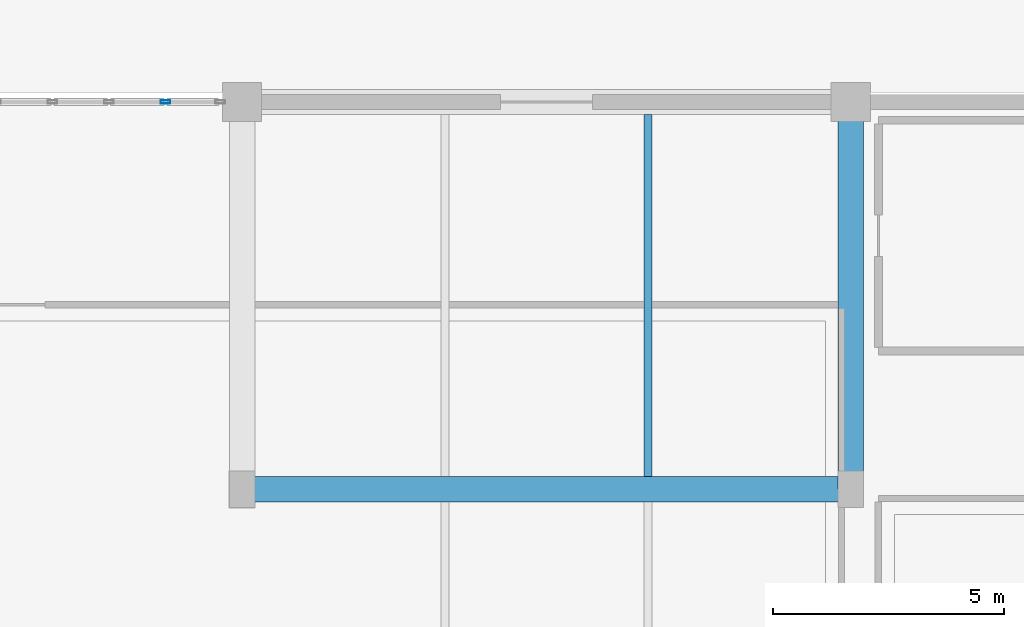
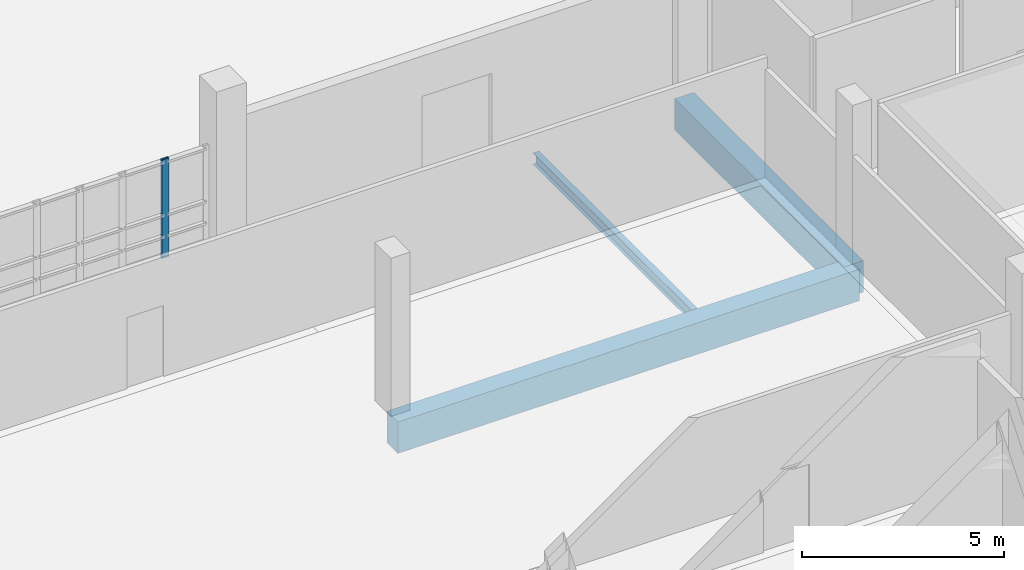
# One storey, part 38 of 97: 3 beams, 1 member, 1 element without a shape of its own.
"""IFC4 building model written with IfcOpenShell, lengths in metres."""

from ifc_helpers import new_model, si_unit, direction, frame, origin, origin_2d, place, context, subcontext, project, spatial, rectangle, hollow_rectangle, i_section, extrude, material, layer, layer_set, material_profile, profile_set, type_object, element, aggregate, save


model = new_model("IFC4")

# Units and contexts
model_context = context("Model", 3, precision=1e-05, world=origin(), true_north=direction((0.0, 1.0)))
body_context = subcontext(model_context, "Body", "Model", "MODEL_VIEW")
ifc_project = project(units=[si_unit("LENGTHUNIT", "METRE"), si_unit("AREAUNIT", "SQUARE_METRE"), si_unit("VOLUMEUNIT", "CUBIC_METRE"), si_unit("PLANEANGLEUNIT", "RADIAN"), si_unit("MASSUNIT", "GRAM", prefix="KILO")], contexts=[model_context])

# Site, building, storey
site_placement = place(None, origin())
site = spatial("IfcSite", under=ifc_project, at=site_placement, CompositionType="ELEMENT")
building_placement = place(site_placement, origin())
building = spatial("IfcBuilding", under=site, at=building_placement, Name="Kisaragi Civic Commons", CompositionType="ELEMENT")
storey_placement = place(building_placement, origin())
storey = spatial("IfcBuildingStorey", under=building, at=storey_placement, Name="L00", CompositionType="ELEMENT", Elevation=0.0)

# Curtain wall, member
ifc_material_1 = material(Name="Thermally broken anodized aluminium and low-E double glazing", Category="aluminium")
ifc_layer = layer(ifc_material_1, 0.2099609375, Name="Thermally broken anodized aluminium and low-E double glazing", Category="aluminium")
ifc_layer_set = layer_set([ifc_layer], Name="Thermally broken anodized aluminium and low-E double glazing")
curtain_wall_type = type_object("IfcCurtainWallType", Name="CW-02", PredefinedType="NOTDEFINED", material=ifc_layer_set)
curtain_wall_placement = place(storey_placement, origin())
curtain_wall = element("IfcCurtainWall", 1, at=curtain_wall_placement, inside=storey, type_object=curtain_wall_type, Name="L00 curtain wall CW-02 CW-V3-L00-010", PredefinedType="NOTDEFINED")
ifc_material_profile_1 = material_profile(ifc_material_1, hollow_rectangle(XDim=0.070068359375, YDim=0.2099609375, WallThickness=0.0048828125, InnerFilletRadius=0.0048828125, OuterFilletRadius=0.010009765625, at=origin_2d()), Name="CWM-70x210x5", Category="aluminium")
ifc_profile_set_1 = profile_set([ifc_material_profile_1], Name="Thermally broken anodized aluminium and low-E double glazing")
member_type = type_object("IfcMemberType", Name="CWM-03", PredefinedType="MULLION", material=ifc_profile_set_1)
member_placement = place(storey_placement, frame((144.736083984375, 25.199951171875, 0.0), z_axis=(0.0, 0.0, 1.0), x_axis=(0.0, 1.0, 0.0)))
member = element("IfcMember", 2, at=member_placement, type_object=member_type, Name="CW-02 mullion 5", PredefinedType="MULLION", context=body_context, shape_type="SweptSolid", body=[
    extrude(hollow_rectangle(XDim=0.070068359375, YDim=0.2099609375, WallThickness=0.0048828125, InnerFilletRadius=0.0048828125, OuterFilletRadius=0.010009765625, at=origin_2d()), origin(), (0.0, 0.0, 1.0), 2.97998046875),
])
aggregate(curtain_wall, [member])

# Beams
ifc_material_2 = material(Name="Concrete Fc36", Category="concrete")
ifc_material_profile_2 = material_profile(ifc_material_2, rectangle(XDim=0.550048828125, YDim=0.949951171875, at=origin_2d()), Name="RC-550x950", Category="concrete")
ifc_profile_set_2 = profile_set([ifc_material_profile_2], Name="Concrete Fc36")
beam_type_1 = type_object("IfcBeamType", Name="G-01", PredefinedType="BEAM", material=ifc_profile_set_2)
beam_1_placement = place(storey_placement, frame((146.39990234375, 16.800048828125, -0.800048828125), z_axis=(1.0, 0.0, 0.0), x_axis=(0.0, 1.0, 0.0)))
element("IfcBeam", 3, at=beam_1_placement, inside=storey, type_object=beam_type_1, Name="L00 girder G-01 98", PredefinedType="BEAM", context=body_context, shape_type="SweptSolid", body=[
    extrude(rectangle(XDim=0.550048828125, YDim=0.949951171875, at=origin_2d()), origin(), (0.0, 0.0, 1.0), 13.2001953125),
])
beam_2_placement = place(storey_placement, frame((159.60009765625, 16.800048828125, -0.800048828125), z_axis=(0.0, 1.0, 0.0), x_axis=(-1.0, 0.0, 0.0)))
element("IfcBeam", 4, at=beam_2_placement, inside=storey, type_object=beam_type_1, Name="L00 girder G-01 104", PredefinedType="BEAM", context=body_context, shape_type="SweptSolid", body=[
    extrude(rectangle(XDim=0.550048828125, YDim=0.949951171875, at=origin_2d()), origin(), (0.0, 0.0, 1.0), 8.39990234375),
])
ifc_material_3 = material(Name="Steel SN400 (SN400B)", Category="steel")
ifc_material_profile_3 = material_profile(ifc_material_3, i_section(OverallWidth=0.175048828125, OverallDepth=0.35009765625, WebThickness=0.007080078125, FlangeThickness=0.010986328125, FilletRadius=0.012939453125, at=origin_2d()), Name="H-350x175x7x11", Category="steel")
ifc_profile_set_3 = profile_set([ifc_material_profile_3], Name="Steel SN400 (SN400B)")
beam_type_2 = type_object("IfcBeamType", Name="J-02", PredefinedType="JOIST", material=ifc_profile_set_3)
beam_3_placement = place(storey_placement, frame((155.199951171875, 17.074951171875, -0.5), z_axis=(0.0, 1.0, 0.0), x_axis=(-1.0, 0.0, 0.0)))
element("IfcBeam", 5, at=beam_3_placement, inside=storey, type_object=beam_type_2, Name="L00 secondary steel joist J-02 29", PredefinedType="JOIST", context=body_context, shape_type="SweptSolid", body=[
    extrude(i_section(OverallWidth=0.175048828125, OverallDepth=0.35009765625, WebThickness=0.007080078125, FlangeThickness=0.010986328125, FilletRadius=0.012939453125, at=origin_2d()), origin(), (0.0, 0.0, 1.0), 7.85009765625),
])

save(model, "model.ifc")
